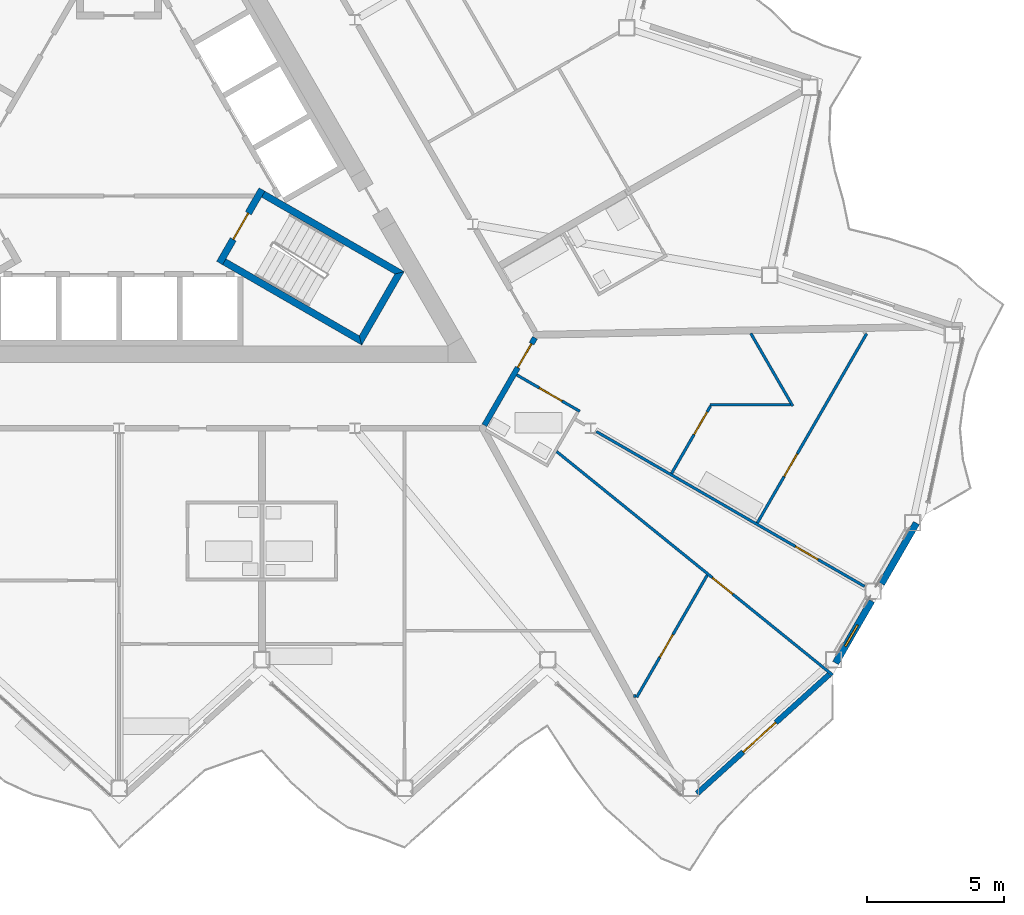
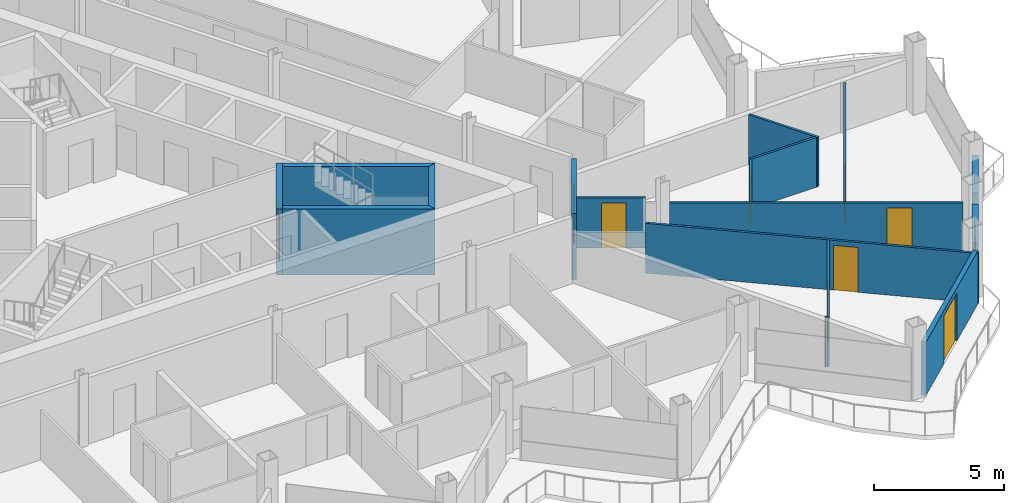
# One storey, part 16 of 27: 17 walls, 9 doors, 1 window, 10 openings.
"""IFC4 building model written with IfcOpenShell, lengths in metres."""

import ifcopenshell
import ifcopenshell.guid

model = None  # the IFC model being written
_history = None  # IfcOwnerHistory: only IFC2X3 demands one
_inside = {}  # id of a spatial element -> (the spatial element, [elements in it])
_under = {}  # id of a project, library or spatial element -> (it, [spatial elements below it])
_declared = {}  # id of a project -> (the project, [libraries it declares])
_typed = {}  # id of a type object -> (the type object, [elements of that type])
_made_of = {}  # id of a material, layer set ... -> (it, [elements and type objects made of it])


def new_model(schema):
    """Start an empty IFC model of exactly this schema.

    Asked for "IFC4X3", IfcOpenShell would pick the latest addendum, in which some entities
    have other attributes; the version numbers below select the first issue.
    IFC2X3 requires an IfcOwnerHistory on every rooted entity: one is made here for all.
    """
    global model, _history
    if schema == "IFC4X3":
        model = ifcopenshell.file(schema_version=(4, 3, 0, 0))
    else:
        model = ifcopenshell.file(schema=schema)
    _inside.clear()
    _under.clear()
    _declared.clear()
    _typed.clear()
    _made_of.clear()
    _history = None
    if model.schema == "IFC2X3":
        org = make("IfcOrganization", Name="unknown")
        user = make(
            "IfcPersonAndOrganization",
            ThePerson=make("IfcPerson", FamilyName="unknown"),
            TheOrganization=org,
        )
        app = make(
            "IfcApplication",
            ApplicationDeveloper=org,
            Version="unknown",
            ApplicationFullName="unknown",
            ApplicationIdentifier="unknown",
        )
        _history = make(
            "IfcOwnerHistory",
            OwningUser=user,
            OwningApplication=app,
            ChangeAction="ADDED",
            CreationDate=0,
        )
    return model


def make(cls, **values):
    """One entity of the class cls with the attributes given. An attribute that is None is left unset."""
    return model.create_entity(
        cls, **{name: value for name, value in values.items() if value is not None}
    )


def rooted(cls, **values):
    """An entity with a GlobalId (a new one), such as an element, a storey or a relation."""
    return make(cls, GlobalId=ifcopenshell.guid.new(), OwnerHistory=_history, **values)


def si_unit(unit_type, name, prefix=None):
    """IfcSIUnit, for example si_unit("LENGTHUNIT", "METRE", prefix="MILLI")."""
    return make("IfcSIUnit", UnitType=unit_type, Prefix=prefix, Name=name)


def assignment(units):
    """IfcUnitAssignment: the units of a project."""
    return None if units is None else make("IfcUnitAssignment", Units=units)


def point(xyz):
    """IfcCartesianPoint."""
    return None if xyz is None else make("IfcCartesianPoint", Coordinates=xyz)


def direction(xyz):
    """IfcDirection."""
    return None if xyz is None else make("IfcDirection", DirectionRatios=xyz)


def frame(location, z_axis=None, x_axis=None):
    """IfcAxis2Placement3D, a coordinate frame: its origin and axes. An axis left out is left unset."""
    return make(
        "IfcAxis2Placement3D",
        Location=point(location),
        Axis=direction(z_axis),
        RefDirection=direction(x_axis),
    )


def frame_2d(location, x_axis=None):
    """IfcAxis2Placement2D, a coordinate frame in the plane: its origin and x axis."""
    return make(
        "IfcAxis2Placement2D", Location=point(location), RefDirection=direction(x_axis)
    )


def origin():
    """The frame at (0, 0, 0) with its axes left unset."""
    return frame((0.0, 0.0, 0.0))


def place(relative_to, where):
    """IfcLocalPlacement: puts the frame where relative to a parent placement (None: the world)."""
    return make(
        "IfcLocalPlacement", PlacementRelTo=relative_to, RelativePlacement=where
    )


def context(
    kind, dimensions, precision=None, world=None, true_north=None, identifier=None
):
    """IfcGeometricRepresentationContext, for example the 3D "Model" context."""
    return make(
        "IfcGeometricRepresentationContext",
        ContextIdentifier=identifier,
        ContextType=kind,
        CoordinateSpaceDimension=dimensions,
        Precision=precision,
        WorldCoordinateSystem=world,
        TrueNorth=true_north,
    )


def subcontext(parent, identifier, kind, view, scale=None):
    """IfcGeometricRepresentationSubContext, for example "Body" below "Model"."""
    return make(
        "IfcGeometricRepresentationSubContext",
        ContextIdentifier=identifier,
        ContextType=kind,
        ParentContext=parent,
        TargetScale=scale,
        TargetView=view,
    )


def project(units=None, contexts=None):
    """IfcProject with its units and contexts."""
    return rooted(
        "IfcProject",
        Name="project",
        RepresentationContexts=contexts,
        UnitsInContext=assignment(units),
    )


def spatial(cls, under=None, at=None, **own):
    """A site, building, storey or space (cls), placed at a placement, below another one or the project."""
    s = rooted(cls, ObjectPlacement=at, **own)
    if under is not None:
        _under.setdefault(under.id(), (under, []))[1].append(s)
    return s


def polyline(points):
    """IfcPolyline through the points."""
    return make("IfcPolyline", Points=[point(p) for p in points])


def profile(cls, at=None, kind="AREA", **sizes):
    """A parametric profile (cls). Its sizes go by their IFC names, for example OverallWidth=200.0."""
    return make(cls, ProfileType=kind, Position=at, **sizes)


def rectangle(**sizes):
    """IfcRectangleProfileDef."""
    return profile("IfcRectangleProfileDef", **sizes)


def outline(outer, holes=None, kind="AREA"):
    """IfcArbitraryClosedProfileDef: a profile drawn as a closed curve; with holes, ...WithVoids."""
    if holes is None:
        return make("IfcArbitraryClosedProfileDef", ProfileType=kind, OuterCurve=outer)
    return make(
        "IfcArbitraryProfileDefWithVoids",
        ProfileType=kind,
        OuterCurve=outer,
        InnerCurves=holes,
    )


def extrude(swept, where, along, depth):
    """IfcExtrudedAreaSolid: the profile swept, set in the frame where, extruded along a direction by depth."""
    return make(
        "IfcExtrudedAreaSolid",
        SweptArea=swept,
        Position=where,
        ExtrudedDirection=direction(along),
        Depth=depth,
    )


def shape(context_of_items, identifier, shape_type, items):
    """IfcShapeRepresentation: the items that make up one representation, for example the "Body"."""
    return make(
        "IfcShapeRepresentation",
        ContextOfItems=context_of_items,
        RepresentationIdentifier=identifier,
        RepresentationType=shape_type,
        Items=items,
    )


def material(Name=None, Category=None):
    """IfcMaterial."""
    return make("IfcMaterial", Name=Name, Category=Category)


def layer(
    of_material, thickness, ventilated=None, Name=None, Category=None, Priority=None
):
    """IfcMaterialLayer: one layer of a wall or slab, of a material (None: an air gap)."""
    return make(
        "IfcMaterialLayer",
        Material=of_material,
        LayerThickness=thickness,
        IsVentilated=ventilated,
        Name=Name,
        Category=Category,
        Priority=Priority,
    )


def layer_set(layers, Name=None):
    """IfcMaterialLayerSet."""
    return make("IfcMaterialLayerSet", MaterialLayers=layers, LayerSetName=Name)


def made_of(thing, what):
    """Note that an element or type object is made of a material, layer set ...; save() writes the relation."""
    if what is not None:
        _made_of.setdefault(what.id(), (what, []))[1].append(thing)
    return thing


def type_object(cls, material=None, **own):
    """A type object (cls), such as IfcWallType, which elements share."""
    return made_of(rooted(cls, **own), material)


def element(
    cls,
    number,
    at=None,
    inside=None,
    cuts=None,
    type_object=None,
    material=None,
    context=None,
    identifier="Body",
    shape_type=None,
    held_by="IfcProductDefinitionShape",
    body=None,
    shapes=None,
    **own,
):
    """One element of the class cls, such as IfcWall. Its Tag is "e" and its number.

    at: its placement. inside: the storey or other place that contains it. cuts: it is an
    opening in that element (IfcRelVoidsElement). A single representation is given by context,
    identifier, shape_type and body (its items); several are given by shapes. held_by: the class
    of the entity that holds the representations. save() writes the other relations.
    """
    e = rooted(cls, Tag="e%d" % number, ObjectPlacement=at, **own)
    if body is not None:
        shapes = [shape(context, identifier, shape_type, body)]
    if shapes is not None:
        e.Representation = make(held_by, Representations=shapes)
    if inside is not None:
        _inside.setdefault(inside.id(), (inside, []))[1].append(e)
    if cuts is not None:
        rooted(
            "IfcRelVoidsElement", RelatingBuildingElement=cuts, RelatedOpeningElement=e
        )
    if type_object is not None:
        _typed.setdefault(type_object.id(), (type_object, []))[1].append(e)
    return made_of(e, material)


def fill(opening, filler):
    """IfcRelFillsElement: the door or window that sits in an opening."""
    return rooted(
        "IfcRelFillsElement",
        RelatingOpeningElement=opening,
        RelatedBuildingElement=filler,
    )


def aggregate(whole, parts):
    """IfcRelAggregates: a whole, such as a stair, and the parts it consists of."""
    return rooted("IfcRelAggregates", RelatingObject=whole, RelatedObjects=parts)


def save(model, path):
    """Write the relations noted so far, then the file.

    IfcRelAggregates (storeys below a building ...), IfcRelContainedInSpatialStructure (elements
    in a storey), IfcRelDefinesByType, IfcRelAssociatesMaterial and IfcRelDeclares: one each for
    every whole, place, type object, material and project.
    """
    for whole, parts in _under.values():
        aggregate(whole, parts)
    for where, things in _inside.values():
        rooted(
            "IfcRelContainedInSpatialStructure",
            RelatedElements=things,
            RelatingStructure=where,
        )
    for kind, things in _typed.values():
        rooted("IfcRelDefinesByType", RelatedObjects=things, RelatingType=kind)
    for what, things in _made_of.values():
        rooted("IfcRelAssociatesMaterial", RelatedObjects=things, RelatingMaterial=what)
    for by, libraries in _declared.values():
        rooted("IfcRelDeclares", RelatingContext=by, RelatedDefinitions=libraries)
    model.write(path)


model = new_model("IFC4")

# Units and contexts
model_context = context("Model", 3, precision=1e-05, world=origin(), true_north=direction((0.0, 1.0)))
body_context = subcontext(model_context, "Body", "Model", "MODEL_VIEW")
ifc_project = project(units=[si_unit("LENGTHUNIT", "METRE"), si_unit("AREAUNIT", "SQUARE_METRE"), si_unit("VOLUMEUNIT", "CUBIC_METRE"), si_unit("PLANEANGLEUNIT", "RADIAN"), si_unit("MASSUNIT", "GRAM", prefix="KILO")], contexts=[model_context])

# Site, building, storey
site_placement = place(None, origin())
site = spatial("IfcSite", under=ifc_project, at=site_placement, CompositionType="ELEMENT")
building_placement = place(site_placement, origin())
building = spatial("IfcBuilding", under=site, at=building_placement, Name="Cormorant Prow Tower", CompositionType="ELEMENT")
storey_placement = place(building_placement, frame((0.0, 0.0, 318.800048828125)))
storey = spatial("IfcBuildingStorey", under=building, at=storey_placement, Name="L70", CompositionType="ELEMENT", Elevation=318.800048828125)

# Wall, opening, door
ifc_material_1 = material(Name="Gypsum board corridor wall")
ifc_layer_1 = layer(ifc_material_1, 0.199951171875)
ifc_layer_set_1 = layer_set([ifc_layer_1], Name="Gypsum board corridor wall")
wall_type_1 = type_object("IfcWallType", Name="Corridor wall 200", PredefinedType="PARTITIONING", material=ifc_layer_set_1)
wall_1_placement = place(storey_placement, frame((13.29345703125, -9.79736328125, 0.0), z_axis=(0.0, 0.0, 1.0), x_axis=(0.499967746641, 0.866044024469, 0.0)))
wall_1 = element("IfcWall", 1, at=wall_1_placement, inside=storey, type_object=wall_type_1, Name="Corridor wall", PredefinedType="PARTITIONING", context=body_context, shape_type="SweptSolid", body=[
    extrude(rectangle(XDim=3.676025390625, YDim=0.199951171875, at=frame_2d((1.837890625, 0.0))), origin(), (0.0, 0.0, 1.0), 3.099853515625),
])
opening_1_placement = place(wall_1_placement, frame((2.426025390625, 0.0, 0.0)))
opening_1 = element("IfcOpeningElement", 2, at=opening_1_placement, cuts=wall_1, Name="Opening L70-F16", PredefinedType="OPENING", context=body_context, shape_type="SweptSolid", body=[
    extrude(rectangle(XDim=1.0, YDim=2.10009765625, at=frame_2d((0.5, 1.050048828125))), frame((0.0, 0.10986328125, 0.0), z_axis=(0.0, -1.0, 0.0), x_axis=(1.0, 0.0, 0.0)), (0.0, 0.0, 1.0), 0.219970703125),
])
ifc_material_2 = material(Name="Timber door leaf", Category="wood")
door_type_1 = type_object("IfcDoorType", Name="Flat or room entrance door 1000x2100", OperationType="NOTDEFINED", PredefinedType="DOOR", material=ifc_material_2)
door_1_placement = place(opening_1_placement, origin())
door_1 = element("IfcDoor", 3, at=door_1_placement, inside=storey, type_object=door_type_1, Name="Living room door", OperationType="SINGLE_SWING_RIGHT", OverallHeight=2.10009765625, OverallWidth=1.0, PredefinedType="DOOR", context=body_context, shape_type="SweptSolid", body=[
    extrude(rectangle(XDim=1.0, YDim=2.10009765625, at=frame_2d((0.5, 1.050048828125))), frame((0.0, 0.02490234375, 0.0), z_axis=(0.0, -1.0, 0.0), x_axis=(1.0, 0.0, 0.0)), (0.0, 0.0, 1.0), 0.050048828125),
])
fill(opening_1, door_1)

ifc_material_3 = material(Name="Gypsum board partition")
ifc_layer_2 = layer(ifc_material_3, 0.10009765625)
ifc_layer_set_2 = layer_set([ifc_layer_2], Name="Gypsum board partition")
wall_type_2 = type_object("IfcWallType", Name="Internal partition 100", PredefinedType="PARTITIONING", material=ifc_layer_set_2)
wall_2_placement = place(storey_placement, frame((15.91748046875, -10.7509765625, 0.0), z_axis=(0.0, 0.0, 1.0), x_axis=(0.777149866095, -0.629315569193, 0.0)))
wall_2 = element("IfcWall", 4, at=wall_2_placement, inside=storey, type_object=wall_type_2, Name="Internal partition", PredefinedType="PARTITIONING", context=body_context, shape_type="SweptSolid", body=[
    extrude(rectangle(XDim=12.927490234375, YDim=0.10009765625, at=frame_2d((6.4638671875, 0.0))), origin(), (0.0, 0.0, 1.0), 2.330078125),
])
opening_2_placement = place(wall_2_placement, frame((7.297607421875, 0.0, 0.0)))
opening_2 = element("IfcOpeningElement", 5, at=opening_2_placement, cuts=wall_2, Name="Opening L70-F21", PredefinedType="OPENING", context=body_context, shape_type="SweptSolid", body=[
    extrude(rectangle(XDim=0.949951171875, YDim=2.10009765625, at=frame_2d((0.47509765625, 1.050048828125))), frame((0.0, 0.06005859375, 0.0), z_axis=(0.0, -1.0, 0.0), x_axis=(1.0, 0.0, 0.0)), (0.0, 0.0, 1.0), 0.1201171875),
])
ifc_material_4 = material(Name="Timber door leaf", Category="wood")
door_type_2 = type_object("IfcDoorType", Name="Bathroom door 950x2100", OperationType="NOTDEFINED", PredefinedType="DOOR", material=ifc_material_4)
door_2_placement = place(opening_2_placement, origin())
door_2 = element("IfcDoor", 6, at=door_2_placement, inside=storey, type_object=door_type_2, Name="Bedroom door", OperationType="SINGLE_SWING_LEFT", OverallHeight=2.10009765625, OverallWidth=0.949951171875, PredefinedType="DOOR", context=body_context, shape_type="SweptSolid", body=[
    extrude(rectangle(XDim=0.949951171875, YDim=2.10009765625, at=frame_2d((0.47509765625, 1.050048828125))), frame((0.0, 0.02490234375, 0.0), z_axis=(0.0, -1.0, 0.0), x_axis=(1.0, 0.0, 0.0)), (0.0, 0.0, 1.0), 0.050048828125),
])
fill(opening_2, door_2)

wall_3_placement = place(storey_placement, frame((17.364501953125, -10.025390625, 0.0), z_axis=(0.0, 0.0, 1.0), x_axis=(0.866021046153, -0.500007547564, 0.0)))
wall_3 = element("IfcWall", 7, at=wall_3_placement, inside=storey, type_object=wall_type_2, Name="Internal partition", PredefinedType="PARTITIONING", context=body_context, shape_type="SweptSolid", body=[
    extrude(rectangle(XDim=11.267333984375, YDim=0.10009765625, at=frame_2d((5.6337890625, 0.0))), origin(), (0.0, 0.0, 1.0), 2.330078125),
])
opening_3_placement = place(wall_3_placement, frame((8.3642578125, 0.0, 0.0)))
opening_3 = element("IfcOpeningElement", 8, at=opening_3_placement, cuts=wall_3, Name="Opening L70-F20", PredefinedType="OPENING", context=body_context, shape_type="SweptSolid", body=[
    extrude(rectangle(XDim=0.949951171875, YDim=2.10009765625, at=frame_2d((0.47509765625, 1.050048828125))), frame((0.0, 0.06005859375, 0.0), z_axis=(0.0, -1.0, 0.0), x_axis=(1.0, 0.0, 0.0)), (0.0, 0.0, 1.0), 0.1201171875),
])
door_3_placement = place(opening_3_placement, origin())
door_3 = element("IfcDoor", 9, at=door_3_placement, inside=storey, type_object=door_type_2, Name="Dining room door", OperationType="SINGLE_SWING_LEFT", OverallHeight=2.10009765625, OverallWidth=0.949951171875, PredefinedType="DOOR", context=body_context, shape_type="SweptSolid", body=[
    extrude(rectangle(XDim=0.949951171875, YDim=2.10009765625, at=frame_2d((0.47509765625, 1.050048828125))), frame((0.0, 0.02490234375, 0.0), z_axis=(0.0, -1.0, 0.0), x_axis=(1.0, 0.0, 0.0)), (0.0, 0.0, 1.0), 0.050048828125),
])
fill(opening_3, door_3)

wall_4_placement = place(storey_placement, frame((23.222900390625, -13.35009765625, 0.0), z_axis=(0.0, 0.0, 1.0), x_axis=(0.500018284498, 0.866014846967, 0.0)))
wall_4 = element("IfcWall", 10, at=wall_4_placement, inside=storey, type_object=wall_type_2, Name="Internal partition", PredefinedType="PARTITIONING", context=body_context, shape_type="SweptSolid", body=[
    extrude(rectangle(XDim=7.953369140625, YDim=0.10009765625, at=frame_2d((3.9765625, 0.0))), origin(), (0.0, 0.0, 1.0), 2.330078125),
])
opening_4_placement = place(wall_4_placement, frame((1.950927734375, 0.0, 0.0)))
opening_4 = element("IfcOpeningElement", 11, at=opening_4_placement, cuts=wall_4, Name="Opening L70-F19", PredefinedType="OPENING", context=body_context, shape_type="SweptSolid", body=[
    extrude(rectangle(XDim=0.949951171875, YDim=2.10009765625, at=frame_2d((0.47509765625, 1.050048828125))), frame((0.0, 0.06005859375, 0.0), z_axis=(0.0, -1.0, 0.0), x_axis=(1.0, 0.0, 0.0)), (0.0, 0.0, 1.0), 0.1201171875),
])
door_4_placement = place(opening_4_placement, origin())
door_4 = element("IfcDoor", 12, at=door_4_placement, inside=storey, type_object=door_type_2, Name="Kitchen door", OperationType="SINGLE_SWING_RIGHT", OverallHeight=2.10009765625, OverallWidth=0.949951171875, PredefinedType="DOOR", context=body_context, shape_type="SweptSolid", body=[
    extrude(rectangle(XDim=0.949951171875, YDim=2.10009765625, at=frame_2d((0.47509765625, 1.050048828125))), frame((0.0, 0.02490234375, 0.0), z_axis=(0.0, -1.0, 0.0), x_axis=(1.0, 0.0, 0.0)), (0.0, 0.0, 1.0), 0.050048828125),
])
fill(opening_4, door_4)

wall_5_placement = place(storey_placement, frame((18.8330078125, -19.6953125, 0.0), z_axis=(0.0, 0.0, 1.0), x_axis=(0.500034163155, 0.866005678779, 0.0)))
wall_5 = element("IfcWall", 13, at=wall_5_placement, inside=storey, type_object=wall_type_2, Name="Internal partition", PredefinedType="PARTITIONING", context=body_context, shape_type="SweptSolid", body=[
    extrude(rectangle(XDim=5.130126953125, YDim=0.10009765625, at=frame_2d((2.56494140625, 0.0))), origin(), (0.0, 0.0, 1.0), 2.330078125),
])
opening_5_placement = place(wall_5_placement, frame((1.68115234375, 0.0, 0.0)))
opening_5 = element("IfcOpeningElement", 14, at=opening_5_placement, cuts=wall_5, Name="Opening L70-F22", PredefinedType="OPENING", context=body_context, shape_type="SweptSolid", body=[
    extrude(rectangle(XDim=0.949951171875, YDim=2.10009765625, at=frame_2d((0.47509765625, 1.050048828125))), frame((0.0, 0.06005859375, 0.0), z_axis=(0.0, -1.0, 0.0), x_axis=(1.0, 0.0, 0.0)), (0.0, 0.0, 1.0), 0.1201171875),
])
door_5_placement = place(opening_5_placement, origin())
door_5 = element("IfcDoor", 15, at=door_5_placement, inside=storey, type_object=door_type_2, Name="Bedroom door", OperationType="SINGLE_SWING_LEFT", OverallHeight=2.10009765625, OverallWidth=0.949951171875, PredefinedType="DOOR", context=body_context, shape_type="SweptSolid", body=[
    extrude(rectangle(XDim=0.949951171875, YDim=2.10009765625, at=frame_2d((0.47509765625, 1.050048828125))), frame((0.0, 0.02490234375, 0.0), z_axis=(0.0, -1.0, 0.0), x_axis=(1.0, 0.0, 0.0)), (0.0, 0.0, 1.0), 0.050048828125),
])
fill(opening_5, door_5)

# Walls
wall_6_placement = place(storey_placement, frame((22.985595703125, -6.4541015625, 0.0), z_axis=(0.0, 0.0, 1.0), x_axis=(0.499978833458, -0.866037623948, 0.0)))
element("IfcWall", 16, at=wall_6_placement, inside=storey, type_object=wall_type_2, Name="Internal partition", PredefinedType="PARTITIONING", context=body_context, shape_type="SweptSolid", body=[
    extrude(rectangle(XDim=3.050048828125, YDim=0.10009765625, at=frame_2d((1.52490234375, 0.0))), origin(), (0.0, 0.0, 1.0), 2.330078125),
])
wall_7_placement = place(storey_placement, frame((21.4951171875, -9.052001953125, 0.0), z_axis=(0.0, 0.0, 1.0), x_axis=(1.0, 0.0, 0.0)))
element("IfcWall", 17, at=wall_7_placement, inside=storey, type_object=wall_type_2, Name="Internal partition", PredefinedType="PARTITIONING", context=body_context, shape_type="SweptSolid", body=[
    extrude(rectangle(XDim=2.9404296875, YDim=0.10009765625, at=frame_2d((1.47021484375, 0.0))), origin(), (0.0, 0.0, 1.0), 2.330078125),
])

# Wall, opening, door
wall_8_placement = place(storey_placement, frame((20.103515625, -11.549072265625, 0.0), z_axis=(0.0, 0.0, 1.0), x_axis=(0.499976073514, 0.866039217307, 0.0)))
wall_8 = element("IfcWall", 18, at=wall_8_placement, inside=storey, type_object=wall_type_2, Name="Internal partition", PredefinedType="PARTITIONING", context=body_context, shape_type="SweptSolid", body=[
    extrude(rectangle(XDim=2.833251953125, YDim=0.10009765625, at=frame_2d((1.41650390625, 0.0))), origin(), (0.0, 0.0, 1.0), 2.330078125),
])
opening_6_placement = place(wall_8_placement, frame((1.633056640625, 0.0, 0.0)))
opening_6 = element("IfcOpeningElement", 19, at=opening_6_placement, cuts=wall_8, Name="Opening L70-F18", PredefinedType="OPENING", context=body_context, shape_type="SweptSolid", body=[
    extrude(rectangle(XDim=0.949951171875, YDim=2.10009765625, at=frame_2d((0.47509765625, 1.050048828125))), frame((0.0, 0.06005859375, 0.0), z_axis=(0.0, -1.0, 0.0), x_axis=(1.0, 0.0, 0.0)), (0.0, 0.0, 1.0), 0.1201171875),
])
door_6_placement = place(opening_6_placement, origin())
door_6 = element("IfcDoor", 20, at=door_6_placement, inside=storey, type_object=door_type_2, Name="Living room door", OperationType="SINGLE_SWING_RIGHT", OverallHeight=2.10009765625, OverallWidth=0.949951171875, PredefinedType="DOOR", context=body_context, shape_type="SweptSolid", body=[
    extrude(rectangle(XDim=0.949951171875, YDim=2.10009765625, at=frame_2d((0.47509765625, 1.050048828125))), frame((0.0, 0.02490234375, 0.0), z_axis=(0.0, -1.0, 0.0), x_axis=(1.0, 0.0, 0.0)), (0.0, 0.0, 1.0), 0.050048828125),
])
fill(opening_6, door_6)

wall_9_placement = place(storey_placement, frame((14.467529296875, -7.963623046875, 0.0), z_axis=(0.0, 0.0, 1.0), x_axis=(0.865989200783, -0.500062700197, 0.0)))
wall_9 = element("IfcWall", 21, at=wall_9_placement, inside=storey, type_object=wall_type_2, Name="Internal partition", PredefinedType="PARTITIONING", context=body_context, shape_type="SweptSolid", body=[
    extrude(rectangle(XDim=2.650146484375, YDim=0.10009765625, at=frame_2d((1.3251953125, 0.0))), origin(), (0.0, 0.0, 1.0), 2.330078125),
])
opening_7_placement = place(wall_9_placement, frame((0.949951171875, 0.0, 0.0)))
opening_7 = element("IfcOpeningElement", 22, at=opening_7_placement, cuts=wall_9, Name="Opening L70-F17", PredefinedType="OPENING", context=body_context, shape_type="SweptSolid", body=[
    extrude(rectangle(XDim=0.949951171875, YDim=2.10009765625, at=frame_2d((0.47509765625, 1.050048828125))), frame((0.0, 0.06005859375, 0.0), z_axis=(0.0, -1.0, 0.0), x_axis=(1.0, 0.0, 0.0)), (0.0, 0.0, 1.0), 0.1201171875),
])
door_7_placement = place(opening_7_placement, origin())
door_7 = element("IfcDoor", 23, at=door_7_placement, inside=storey, type_object=door_type_2, Name="Living room door", OperationType="SINGLE_SWING_RIGHT", OverallHeight=2.10009765625, OverallWidth=0.949951171875, PredefinedType="DOOR", context=body_context, shape_type="SweptSolid", body=[
    extrude(rectangle(XDim=0.949951171875, YDim=2.10009765625, at=frame_2d((0.47509765625, 1.050048828125))), frame((0.0, 0.02490234375, 0.0), z_axis=(0.0, -1.0, 0.0), x_axis=(1.0, 0.0, 0.0)), (0.0, 0.0, 1.0), 0.050048828125),
])
fill(opening_7, door_7)

# Walls
wall_10_placement = place(storey_placement, frame((18.7177734375, -19.652099609375, 0.0), z_axis=(0.0, 0.0, 1.0), x_axis=(1.0, 0.0, 0.0)))
element("IfcWall", 24, at=wall_10_placement, inside=storey, type_object=wall_type_2, Name="Internal partition", PredefinedType="PARTITIONING", context=body_context, shape_type="SweptSolid", body=[
    extrude(rectangle(XDim=0.09033203125, YDim=0.10009765625, at=frame_2d((0.045166015625, 0.0))), origin(), (0.0, 0.0, 1.0), 2.330078125),
])
ifc_material_5 = material(Name="Concrete 8000 psi", Category="concrete")
ifc_layer_3 = layer(ifc_material_5, 0.25)
ifc_layer_set_3 = layer_set([ifc_layer_3], Name="Concrete 8000 psi")
wall_type_3 = type_object("IfcWallType", Name="Stair wall 250", PredefinedType="SHEAR", material=ifc_layer_set_3)
wall_11_placement = place(storey_placement, origin())
element("IfcWall", 25, at=wall_11_placement, inside=storey, type_object=wall_type_3, Name="Stair ST2 enclosure wall (flank)", PredefinedType="SHEAR", context=body_context, shape_type="SweptSolid", body=[
    extrude(outline(polyline([(3.76318359375, -3.95556640625), (8.82958984375, -6.880615234375), (8.738037109375, -6.5390625), (3.88818359375, -3.739013671875), (3.76318359375, -3.95556640625)])), origin(), (0.0, 0.0, 1.0), 3.099853515625),
])
wall_12_placement = place(storey_placement, origin())
element("IfcWall", 26, at=wall_12_placement, inside=storey, type_object=wall_type_3, Name="Stair ST2 enclosure wall (end)", PredefinedType="SHEAR", context=body_context, shape_type="SweptSolid", body=[
    extrude(outline(polyline([(8.82958984375, -6.880615234375), (10.37353515625, -4.206298828125), (10.031982421875, -4.2978515625), (8.738037109375, -6.5390625), (8.82958984375, -6.880615234375)])), origin(), (0.0, 0.0, 1.0), 3.099853515625),
])
wall_13_placement = place(storey_placement, origin())
element("IfcWall", 27, at=wall_13_placement, inside=storey, type_object=wall_type_3, Name="Stair ST2 enclosure wall (flank)", PredefinedType="SHEAR", context=body_context, shape_type="SweptSolid", body=[
    extrude(outline(polyline([(10.031982421875, -4.2978515625), (10.37353515625, -4.206298828125), (5.30712890625, -1.28125), (5.18212890625, -1.497802734375), (10.031982421875, -4.2978515625)])), origin(), (0.0, 0.0, 1.0), 3.099853515625),
])

# Wall, opening, door
wall_14_placement = place(storey_placement, frame((3.655029296875, -3.89306640625, 0.0), z_axis=(0.0, 0.0, 1.0), x_axis=(0.499982516597, 0.866035497597, 0.0)))
wall_14 = element("IfcWall", 28, at=wall_14_placement, inside=storey, type_object=wall_type_3, Name="Stair ST2 door wall", PredefinedType="SHEAR", context=body_context, shape_type="SweptSolid", body=[
    extrude(rectangle(XDim=3.087890625, YDim=0.25, at=frame_2d((1.5439453125, 0.0))), origin(), (0.0, 0.0, 1.0), 3.099853515625),
])
opening_8_placement = place(wall_14_placement, frame((0.993896484375, 0.0, 0.0)))
opening_8 = element("IfcOpeningElement", 29, at=opening_8_placement, cuts=wall_14, Name="Opening L70-C13", PredefinedType="OPENING", context=body_context, shape_type="SweptSolid", body=[
    extrude(rectangle(XDim=1.10009765625, YDim=2.10009765625, at=frame_2d((0.550048828125, 1.050048828125))), frame((0.0, 0.135009765625, 0.0), z_axis=(0.0, -1.0, 0.0), x_axis=(1.0, 0.0, 0.0)), (0.0, 0.0, 1.0), 0.27001953125),
])
ifc_material_6 = material(Name="Painted steel", Category="steel")
door_type_3 = type_object("IfcDoorType", Name="Stair door 1100x2100", OperationType="NOTDEFINED", PredefinedType="DOOR", material=ifc_material_6)
door_8_placement = place(opening_8_placement, origin())
door_8 = element("IfcDoor", 30, at=door_8_placement, inside=storey, type_object=door_type_3, Name="Stair ST2 door", OperationType="SINGLE_SWING_RIGHT", OverallHeight=2.10009765625, OverallWidth=1.10009765625, PredefinedType="DOOR", context=body_context, shape_type="SweptSolid", body=[
    extrude(rectangle(XDim=1.10009765625, YDim=2.10009765625, at=frame_2d((0.550048828125, 1.050048828125))), frame((0.0, 0.02490234375, 0.0), z_axis=(0.0, -1.0, 0.0), x_axis=(1.0, 0.0, 0.0)), (0.0, 0.0, 1.0), 0.050048828125),
])
fill(opening_8, door_8)

# Wall, opening, window
ifc_material_7 = material(Name="Terracotta", Category="masonry")
ifc_layer_4 = layer(ifc_material_7, 0.25)
ifc_layer_set_4 = layer_set([ifc_layer_4], Name="Terracotta")
wall_type_4 = type_object("IfcWallType", Name="Terracotta bay wall 250", PredefinedType="SOLIDWALL", material=ifc_layer_set_4)
wall_15_placement = place(storey_placement, frame((26.07275390625, -18.4482421875, 0.0), z_axis=(0.0, 0.0, 1.0), x_axis=(0.499992367345, 0.866029810455, 0.0)))
wall_15 = element("IfcWall", 31, at=wall_15_placement, inside=storey, type_object=wall_type_4, Name="Terracotta bay wall ESE00", PredefinedType="SOLIDWALL", context=body_context, shape_type="SweptSolid", body=[
    extrude(rectangle(XDim=2.60986328125, YDim=0.25, at=frame_2d((1.304931640625, 0.0))), origin(), (0.0, 0.0, 1.0), 2.48779296875),
])
opening_9_placement = place(wall_15_placement, frame((0.699951171875, 0.0, 1.60009765625)))
opening_9 = element("IfcOpeningElement", 32, at=opening_9_placement, cuts=wall_15, Name="Opening WN7", PredefinedType="OPENING", context=body_context, shape_type="SweptSolid", body=[
    extrude(rectangle(XDim=0.89990234375, YDim=0.60009765625, at=frame_2d((0.449951171875, 0.300048828125))), frame((0.0, 0.135009765625, 0.0), z_axis=(0.0, -1.0, 0.0), x_axis=(1.0, 0.0, 0.0)), (0.0, 0.0, 1.0), 0.27001953125),
])
ifc_material_8 = material(Name="Aluminium 6063-T6", Category="aluminium")
window_type = type_object("IfcWindowType", Name="Corner bay window 900x600", PartitioningType="SINGLE_PANEL", PredefinedType="WINDOW", material=ifc_material_8)
window_placement = place(opening_9_placement, origin())
window = element("IfcWindow", 33, at=window_placement, inside=storey, type_object=window_type, Name="Corner bay window ESE00", OverallHeight=0.60009765625, OverallWidth=0.89990234375, PartitioningType="SINGLE_PANEL", PredefinedType="WINDOW", context=body_context, shape_type="SweptSolid", body=[
    extrude(rectangle(XDim=0.89990234375, YDim=0.60009765625, at=frame_2d((0.449951171875, 0.300048828125))), frame((0.0, 0.030029296875, 0.0), z_axis=(0.0, -1.0, 0.0), x_axis=(1.0, 0.0, 0.0)), (0.0, 0.0, 1.0), 0.06005859375),
])
fill(opening_9, window)

# Wall
wall_16_placement = place(storey_placement, frame((27.738525390625, -15.56298828125, 0.0), z_axis=(0.0, 0.0, 1.0), x_axis=(0.500012659481, 0.866018094706, 0.0)))
element("IfcWall", 34, at=wall_16_placement, inside=storey, type_object=wall_type_4, Name="Terracotta bay wall ESE01", PredefinedType="SOLIDWALL", context=body_context, shape_type="SweptSolid", body=[
    extrude(rectangle(XDim=2.548828125, YDim=0.25, at=frame_2d((1.2744140625, 0.0))), origin(), (0.0, 0.0, 1.0), 2.48779296875),
])

# Wall, opening, door
ifc_material_9 = material(Name="Terracotta", Category="masonry")
ifc_layer_5 = layer(ifc_material_9, 0.199951171875)
ifc_layer_set_5 = layer_set([ifc_layer_5], Name="Terracotta")
wall_type_5 = type_object("IfcWallType", Name="Terracotta jamb wall 200", PredefinedType="SOLIDWALL", material=ifc_layer_set_5)
wall_17_placement = place(storey_placement, frame((21.02685546875, -23.197509765625, 0.0), z_axis=(0.0, 0.0, 1.0), x_axis=(0.74314788005, 0.669127213897, 0.0)))
wall_17 = element("IfcWall", 35, at=wall_17_placement, inside=storey, type_object=wall_type_5, Name="Terracotta jamb wall S09", PredefinedType="SOLIDWALL", context=body_context, shape_type="SweptSolid", body=[
    extrude(rectangle(XDim=6.474609375, YDim=0.199951171875, at=frame_2d((3.2373046875, 0.0))), origin(), (0.0, 0.0, 1.0), 2.48779296875),
])
opening_10_placement = place(wall_17_placement, frame((2.259765625, 0.0, 0.0)))
opening_10 = element("IfcOpeningElement", 36, at=opening_10_placement, cuts=wall_17, Name="Opening ED70.05", PredefinedType="OPENING", context=body_context, shape_type="SweptSolid", body=[
    extrude(rectangle(XDim=1.60009765625, YDim=2.25, at=frame_2d((0.800048828125, 1.125))), frame((0.0, 0.10986328125, 0.0), z_axis=(0.0, -1.0, 0.0), x_axis=(1.0, 0.0, 0.0)), (0.0, 0.0, 1.0), 0.219970703125),
])
ifc_material_10 = material(Name="Aluminium 6063-T6", Category="aluminium")
door_type_4 = type_object("IfcDoorType", Name="Balcony door 1600x2250", OperationType="DOUBLE_DOOR_SINGLE_SWING", PredefinedType="DOOR", material=ifc_material_10)
door_9_placement = place(opening_10_placement, origin())
door_9 = element("IfcDoor", 37, at=door_9_placement, inside=storey, type_object=door_type_4, Name="Balcony door S09 ED70.05", OperationType="DOUBLE_DOOR_SINGLE_SWING", OverallHeight=2.25, OverallWidth=1.60009765625, PredefinedType="DOOR", context=body_context, shape_type="SweptSolid", body=[
    extrude(rectangle(XDim=1.60009765625, YDim=2.25, at=frame_2d((0.800048828125, 1.125))), frame((0.0, 0.02490234375, 0.0), z_axis=(0.0, -1.0, 0.0), x_axis=(1.0, 0.0, 0.0)), (0.0, 0.0, 1.0), 0.050048828125),
])
fill(opening_10, door_9)

save(model, "model.ifc")
